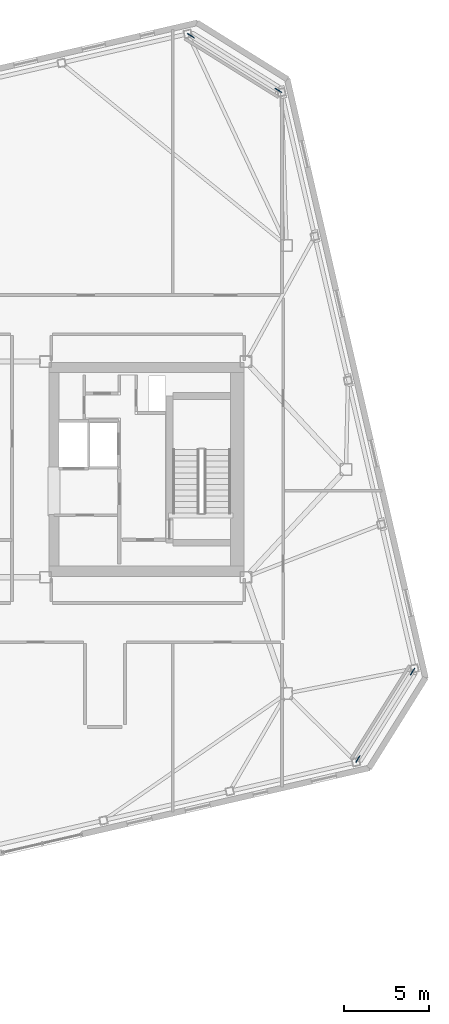
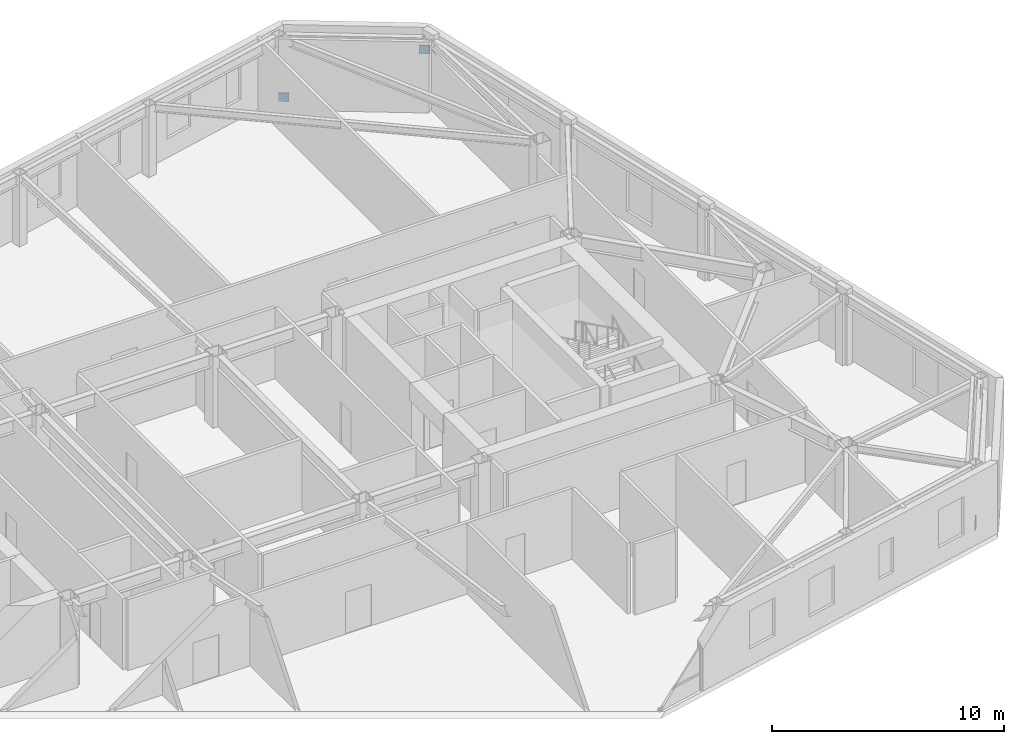
# One storey, part 22 of 23: 4 discrete accessories.
"""IFC4 building model written with IfcOpenShell, lengths in metres."""

from ifc_helpers import new_model, si_unit, direction, frame, origin, origin_2d, place, context, subcontext, project, spatial, rectangle, extrude, material, type_object, element, save


model = new_model("IFC4")

# Units and contexts
model_context = context("Model", 3, precision=1e-05, world=origin(), true_north=direction((0.0, 1.0)))
body_context = subcontext(model_context, "Body", "Model", "MODEL_VIEW")
ifc_project = project(units=[si_unit("LENGTHUNIT", "METRE"), si_unit("AREAUNIT", "SQUARE_METRE"), si_unit("VOLUMEUNIT", "CUBIC_METRE"), si_unit("PLANEANGLEUNIT", "RADIAN"), si_unit("MASSUNIT", "GRAM", prefix="KILO")], contexts=[model_context])

# Site, building, storey
site_placement = place(None, origin())
site = spatial("IfcSite", under=ifc_project, at=site_placement, CompositionType="ELEMENT")
building_placement = place(site_placement, origin())
building = spatial("IfcBuilding", under=site, at=building_placement, Name="Tavrogorsk Clinical Tower", CompositionType="ELEMENT")
storey_placement = place(building_placement, frame((0.0, 0.0, 293.0)))
storey = spatial("IfcBuildingStorey", under=building, at=storey_placement, Name="L68", CompositionType="ELEMENT", Elevation=293.0)

# Discrete accessories
ifc_material = material(Name="Structural steel S440", Category="steel")
discrete_accessory_type = type_object("IfcDiscreteAccessoryType", Name="GussetPlateBracket_25", PredefinedType="BRACKET", material=ifc_material)
for number, where, z_axis, x_axis, name in (
    (1, (28.70166015625, -17.063720703125, 0.163330078125), (0.0, 0.0, 1.0), (0.529919264233, 0.848048096156, 0.0), "L68 Brace Gusset Plate EXOCRN-L68-1-A"),
    (2, (31.9228515625, -11.9091796875, 2.81689453125), (0.0, 0.0, 1.0), (0.529919264233, 0.848048096156, 0.0), "L68 Brace Gusset Plate EXOCRN-L68-1-B"),
    (3, (18.86279296875, 25.55322265625, 0.163330078125), (0.0, 0.0, 1.0), (0.848048096156, -0.529919264233, 0.0), "L68 Brace Gusset Plate EXOCRN-L68-2-A"),
    (4, (24.017578125, 22.332275390625, 2.81689453125), (0.0, 0.0, 1.0), (0.848048096156, -0.529919264233, 0.0), "L68 Brace Gusset Plate EXOCRN-L68-2-B"),
):
    element("IfcDiscreteAccessory", number, at=place(storey_placement, frame(where, z_axis=z_axis, x_axis=x_axis)), inside=storey, type_object=discrete_accessory_type, Name=name, PredefinedType="BRACKET", context=body_context, shape_type="SweptSolid", body=[
        extrude(rectangle(XDim=0.4599609375, YDim=0.0400390625, at=origin_2d()), origin(), (0.0, 0.0, 1.0), 0.4599609375),
    ])

save(model, "model.ifc")
